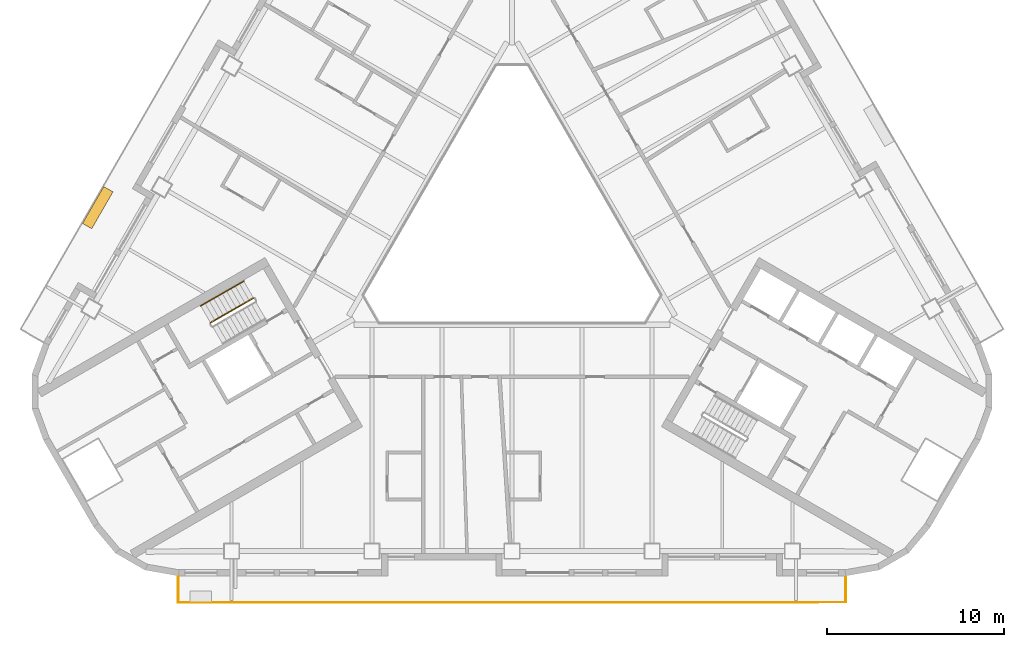
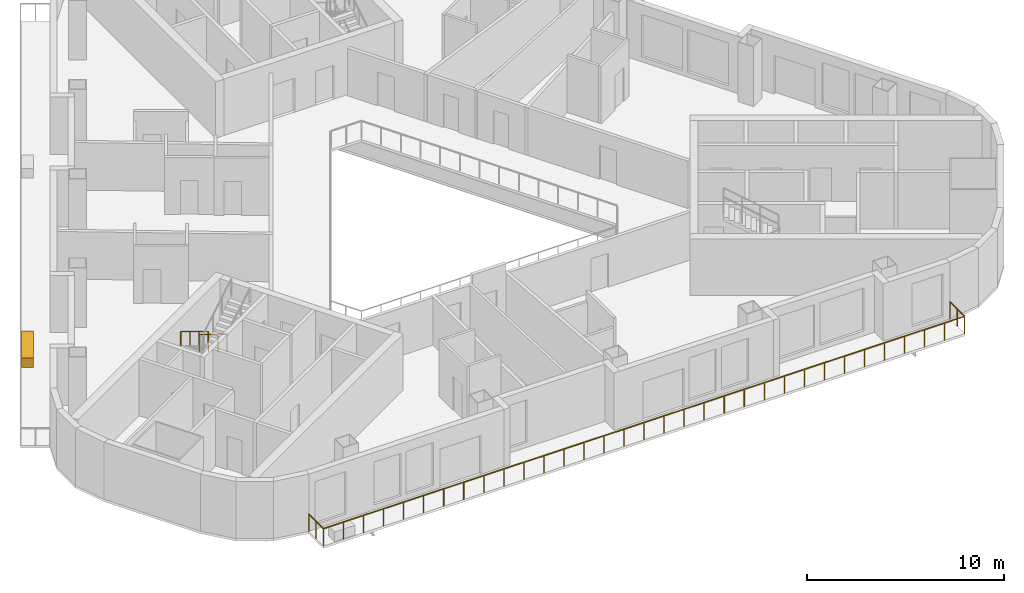
# One storey, part 9 of 13: 3 railings, 1 covering.
"""IFC4 building model written with IfcOpenShell, lengths in metres."""

from ifc_helpers import new_model, si_unit, direction, frame, origin, origin_2d, place, context, subcontext, project, spatial, rectangle, circle, extrude, material, type_object, element, save


model = new_model("IFC4")

# Units and contexts
model_context = context("Model", 3, precision=1e-05, world=origin(), true_north=direction((0.0, 1.0)))
body_context = subcontext(model_context, "Body", "Model", "MODEL_VIEW")
ifc_project = project(units=[si_unit("LENGTHUNIT", "METRE"), si_unit("AREAUNIT", "SQUARE_METRE"), si_unit("VOLUMEUNIT", "CUBIC_METRE"), si_unit("PLANEANGLEUNIT", "RADIAN"), si_unit("MASSUNIT", "GRAM", prefix="KILO")], contexts=[model_context])

# Site, building, storey
site_placement = place(None, origin())
site = spatial("IfcSite", under=ifc_project, at=site_placement, CompositionType="ELEMENT")
building_placement = place(site_placement, origin())
building = spatial("IfcBuilding", under=site, at=building_placement, Name="Apuvela Tower Hotel", CompositionType="ELEMENT")
storey_placement = place(building_placement, frame((0.0, 0.0, 102.0)))
storey = spatial("IfcBuildingStorey", under=building, at=storey_placement, Name="L23", CompositionType="ELEMENT", Elevation=102.0)

# Railings
ifc_material_1 = material(Name="Steel S275 balustrade", Category="steel")
railing_type_1 = type_object("IfcRailingType", Name="COR-GUARD-1100", PredefinedType="GUARDRAIL", material=ifc_material_1)
railing_1_placement = place(storey_placement, frame((-14.569091796875, -3.9658203125, 0.168212890625)))
element("IfcRailing", 1, at=railing_1_placement, inside=storey, type_object=railing_type_1, Name="L23 ST2 stair guard 1", PredefinedType="GUARDRAIL", context=body_context, shape_type="SweptSolid", body=[
    extrude(rectangle(XDim=0.048095703125, YDim=0.048095703125, at=origin_2d()), frame((0.0, 0.0, 1.076171875), z_axis=(-0.742390482028, -0.42860119049, 0.514934356695), x_axis=(0.49998411664, -0.866034573852, 0.0)), (0.0, 0.0, 1.0), 3.26611328125),
    extrude(rectangle(XDim=0.0419921875, YDim=0.0419921875, at=origin_2d()), origin(), (0.0, 0.0, 1.0), 1.052001953125),
    extrude(rectangle(XDim=0.0419921875, YDim=0.0419921875, at=origin_2d()), frame((-0.808349609375, -0.466552734375, 0.560546875)), (0.0, 0.0, 1.0), 1.052001953125),
    extrude(rectangle(XDim=0.0419921875, YDim=0.0419921875, at=origin_2d()), frame((-1.616455078125, -0.933349609375, 1.121337890625)), (0.0, 0.0, 1.0), 1.052001953125),
    extrude(rectangle(XDim=0.0419921875, YDim=0.0419921875, at=origin_2d()), frame((-2.4248046875, -1.39990234375, 1.681884765625)), (0.0, 0.0, 1.0), 1.052001953125),
])
ifc_material_2 = material(Name="Stainless steel 316 handrail", Category="steel")
railing_type_2 = type_object("IfcRailingType", Name="COR-HANDRAIL-900", PredefinedType="HANDRAIL", material=ifc_material_2)
railing_2_placement = place(storey_placement, frame((-15.118896484375, -3.01318359375, 0.168212890625)))
element("IfcRailing", 2, at=railing_2_placement, inside=storey, type_object=railing_type_2, Name="L23 ST2 stair handrail 1", PredefinedType="HANDRAIL", context=body_context, shape_type="SweptSolid", body=[
    extrude(circle(Radius=0.02392578125, at=origin_2d()), frame((0.0, 0.0, 0.8759765625), z_axis=(-0.742424030051, -0.428577407461, 0.514905783049), x_axis=(0.49994636267, -0.866056369097, 0.0)), (0.0, 0.0, 1.0), 3.266357421875),
    extrude(rectangle(XDim=0.0419921875, YDim=0.0419921875, at=origin_2d()), origin(), (0.0, 0.0, 1.0), 0.851806640625),
    extrude(rectangle(XDim=0.0419921875, YDim=0.0419921875, at=origin_2d()), frame((-0.808349609375, -0.466552734375, 0.560546875)), (0.0, 0.0, 1.0), 0.851806640625),
    extrude(rectangle(XDim=0.0419921875, YDim=0.0419921875, at=origin_2d()), frame((-1.61669921875, -0.933349609375, 1.121337890625)), (0.0, 0.0, 1.0), 0.851806640625),
    extrude(rectangle(XDim=0.0419921875, YDim=0.0419921875, at=origin_2d()), frame((-2.425048828125, -1.39990234375, 1.681884765625)), (0.0, 0.0, 1.0), 0.851806640625),
])
ifc_material_3 = material(Name="Stainless steel 316 rail with laminated glass infill", Category="steel")
railing_type_3 = type_object("IfcRailingType", Name="ENV-GUARD-1100", PredefinedType="GUARDRAIL", material=ifc_material_3)
railing_3_placement = place(storey_placement, frame((-18.81591796875, -19.6298828125, 0.0)))
element("IfcRailing", 3, at=railing_3_placement, inside=storey, type_object=railing_type_3, Name="Balcony guard S L23", PredefinedType="GUARDRAIL", context=body_context, shape_type="SweptSolid", body=[
    extrude(rectangle(XDim=0.050048828125, YDim=0.050048828125, at=origin_2d()), frame((0.0, 0.0, 1.0751953125), z_axis=(0.0, -1.0, 0.0), x_axis=(1.0, 0.0, 0.0)), (0.0, 0.0, 1.0), 1.5),
    extrude(rectangle(XDim=0.050048828125, YDim=0.050048828125, at=origin_2d()), frame((0.0, -1.5, 1.0751953125), z_axis=(1.0, 0.0, 0.0), x_axis=(0.0, 1.0, 0.0)), (0.0, 0.0, 1.0), 37.6318359375),
    extrude(rectangle(XDim=0.050048828125, YDim=0.050048828125, at=origin_2d()), frame((37.6318359375, -1.5, 1.0751953125), z_axis=(0.0, 1.0, 0.0), x_axis=(-1.0, 0.0, 0.0)), (0.0, 0.0, 1.0), 1.5),
    extrude(rectangle(XDim=0.0400390625, YDim=0.0400390625, at=origin_2d()), origin(), (0.0, 0.0, 1.0), 1.050048828125),
    extrude(rectangle(XDim=0.0400390625, YDim=0.0400390625, at=origin_2d()), frame((0.0, -0.75, 0.0)), (0.0, 0.0, 1.0), 1.050048828125),
    extrude(rectangle(XDim=0.0400390625, YDim=0.0400390625, at=origin_2d()), frame((0.0, -1.5, 0.0)), (0.0, 0.0, 1.0), 1.050048828125),
    extrude(rectangle(XDim=0.0400390625, YDim=0.0400390625, at=origin_2d()), frame((1.176025390625, -1.5, 0.0)), (0.0, 0.0, 1.0), 1.050048828125),
    extrude(rectangle(XDim=0.0400390625, YDim=0.0400390625, at=origin_2d()), frame((2.35205078125, -1.5, 0.0)), (0.0, 0.0, 1.0), 1.050048828125),
    extrude(rectangle(XDim=0.0400390625, YDim=0.0400390625, at=origin_2d()), frame((3.528076171875, -1.5, 0.0)), (0.0, 0.0, 1.0), 1.050048828125),
    extrude(rectangle(XDim=0.0400390625, YDim=0.0400390625, at=origin_2d()), frame((4.7041015625, -1.5, 0.0)), (0.0, 0.0, 1.0), 1.050048828125),
    extrude(rectangle(XDim=0.0400390625, YDim=0.0400390625, at=origin_2d()), frame((5.8798828125, -1.5, 0.0)), (0.0, 0.0, 1.0), 1.050048828125),
    extrude(rectangle(XDim=0.0400390625, YDim=0.0400390625, at=origin_2d()), frame((7.055908203125, -1.5, 0.0)), (0.0, 0.0, 1.0), 1.050048828125),
    extrude(rectangle(XDim=0.0400390625, YDim=0.0400390625, at=origin_2d()), frame((8.23193359375, -1.5, 0.0)), (0.0, 0.0, 1.0), 1.050048828125),
    extrude(rectangle(XDim=0.0400390625, YDim=0.0400390625, at=origin_2d()), frame((9.407958984375, -1.5, 0.0)), (0.0, 0.0, 1.0), 1.050048828125),
    extrude(rectangle(XDim=0.0400390625, YDim=0.0400390625, at=origin_2d()), frame((10.583984375, -1.5, 0.0)), (0.0, 0.0, 1.0), 1.050048828125),
    extrude(rectangle(XDim=0.0400390625, YDim=0.0400390625, at=origin_2d()), frame((11.760009765625, -1.5, 0.0)), (0.0, 0.0, 1.0), 1.050048828125),
    extrude(rectangle(XDim=0.0400390625, YDim=0.0400390625, at=origin_2d()), frame((12.93603515625, -1.5, 0.0)), (0.0, 0.0, 1.0), 1.050048828125),
    extrude(rectangle(XDim=0.0400390625, YDim=0.0400390625, at=origin_2d()), frame((14.11181640625, -1.5, 0.0)), (0.0, 0.0, 1.0), 1.050048828125),
    extrude(rectangle(XDim=0.0400390625, YDim=0.0400390625, at=origin_2d()), frame((15.287841796875, -1.5, 0.0)), (0.0, 0.0, 1.0), 1.050048828125),
    extrude(rectangle(XDim=0.0400390625, YDim=0.0400390625, at=origin_2d()), frame((16.4638671875, -1.5, 0.0)), (0.0, 0.0, 1.0), 1.050048828125),
    extrude(rectangle(XDim=0.0400390625, YDim=0.0400390625, at=origin_2d()), frame((17.639892578125, -1.5, 0.0)), (0.0, 0.0, 1.0), 1.050048828125),
    extrude(rectangle(XDim=0.0400390625, YDim=0.0400390625, at=origin_2d()), frame((18.81591796875, -1.5, 0.0)), (0.0, 0.0, 1.0), 1.050048828125),
    extrude(rectangle(XDim=0.0400390625, YDim=0.0400390625, at=origin_2d()), frame((19.991943359375, -1.5, 0.0)), (0.0, 0.0, 1.0), 1.050048828125),
    extrude(rectangle(XDim=0.0400390625, YDim=0.0400390625, at=origin_2d()), frame((21.16796875, -1.5, 0.0)), (0.0, 0.0, 1.0), 1.050048828125),
    extrude(rectangle(XDim=0.0400390625, YDim=0.0400390625, at=origin_2d()), frame((22.343994140625, -1.5, 0.0)), (0.0, 0.0, 1.0), 1.050048828125),
    extrude(rectangle(XDim=0.0400390625, YDim=0.0400390625, at=origin_2d()), frame((23.52001953125, -1.5, 0.0)), (0.0, 0.0, 1.0), 1.050048828125),
    extrude(rectangle(XDim=0.0400390625, YDim=0.0400390625, at=origin_2d()), frame((24.69580078125, -1.5, 0.0)), (0.0, 0.0, 1.0), 1.050048828125),
    extrude(rectangle(XDim=0.0400390625, YDim=0.0400390625, at=origin_2d()), frame((25.871826171875, -1.5, 0.0)), (0.0, 0.0, 1.0), 1.050048828125),
    extrude(rectangle(XDim=0.0400390625, YDim=0.0400390625, at=origin_2d()), frame((27.0478515625, -1.5, 0.0)), (0.0, 0.0, 1.0), 1.050048828125),
    extrude(rectangle(XDim=0.0400390625, YDim=0.0400390625, at=origin_2d()), frame((28.223876953125, -1.5, 0.0)), (0.0, 0.0, 1.0), 1.050048828125),
    extrude(rectangle(XDim=0.0400390625, YDim=0.0400390625, at=origin_2d()), frame((29.39990234375, -1.5, 0.0)), (0.0, 0.0, 1.0), 1.050048828125),
    extrude(rectangle(XDim=0.0400390625, YDim=0.0400390625, at=origin_2d()), frame((30.575927734375, -1.5, 0.0)), (0.0, 0.0, 1.0), 1.050048828125),
    extrude(rectangle(XDim=0.0400390625, YDim=0.0400390625, at=origin_2d()), frame((31.751953125, -1.5, 0.0)), (0.0, 0.0, 1.0), 1.050048828125),
    extrude(rectangle(XDim=0.0400390625, YDim=0.0400390625, at=origin_2d()), frame((32.927734375, -1.5, 0.0)), (0.0, 0.0, 1.0), 1.050048828125),
    extrude(rectangle(XDim=0.0400390625, YDim=0.0400390625, at=origin_2d()), frame((34.103759765625, -1.5, 0.0)), (0.0, 0.0, 1.0), 1.050048828125),
    extrude(rectangle(XDim=0.0400390625, YDim=0.0400390625, at=origin_2d()), frame((35.27978515625, -1.5, 0.0)), (0.0, 0.0, 1.0), 1.050048828125),
    extrude(rectangle(XDim=0.0400390625, YDim=0.0400390625, at=origin_2d()), frame((36.455810546875, -1.5, 0.0)), (0.0, 0.0, 1.0), 1.050048828125),
    extrude(rectangle(XDim=0.0400390625, YDim=0.0400390625, at=origin_2d()), frame((37.6318359375, -1.5, 0.0)), (0.0, 0.0, 1.0), 1.050048828125),
    extrude(rectangle(XDim=0.0400390625, YDim=0.0400390625, at=origin_2d()), frame((37.6318359375, -0.75, 0.0)), (0.0, 0.0, 1.0), 1.050048828125),
    extrude(rectangle(XDim=0.0400390625, YDim=0.0400390625, at=origin_2d()), frame((37.6318359375, 0.0, 0.0)), (0.0, 0.0, 1.0), 1.050048828125),
])

# Covering
ifc_material_4 = material(Name="Planting substrate and soil, planted")
covering_type = type_object("IfcCoveringType", Name="ENV-PLANTER-2400x600", PredefinedType="USERDEFINED", material=ifc_material_4)
covering_placement = place(storey_placement, frame((-23.345947265625, 1.12353515625, 0.0), z_axis=(0.0, 0.0, 1.0), x_axis=(-0.5, -0.866025403784, 0.0)))
element("IfcCovering", 4, at=covering_placement, inside=storey, type_object=covering_type, Name="Planter NW4", ObjectType="PLANTER", PredefinedType="USERDEFINED", context=body_context, shape_type="SweptSolid", body=[
    extrude(rectangle(XDim=2.39990234375, YDim=0.60009765625, at=origin_2d()), origin(), (0.0, 0.0, 1.0), 0.60009765625),
])

save(model, "model.ifc")
